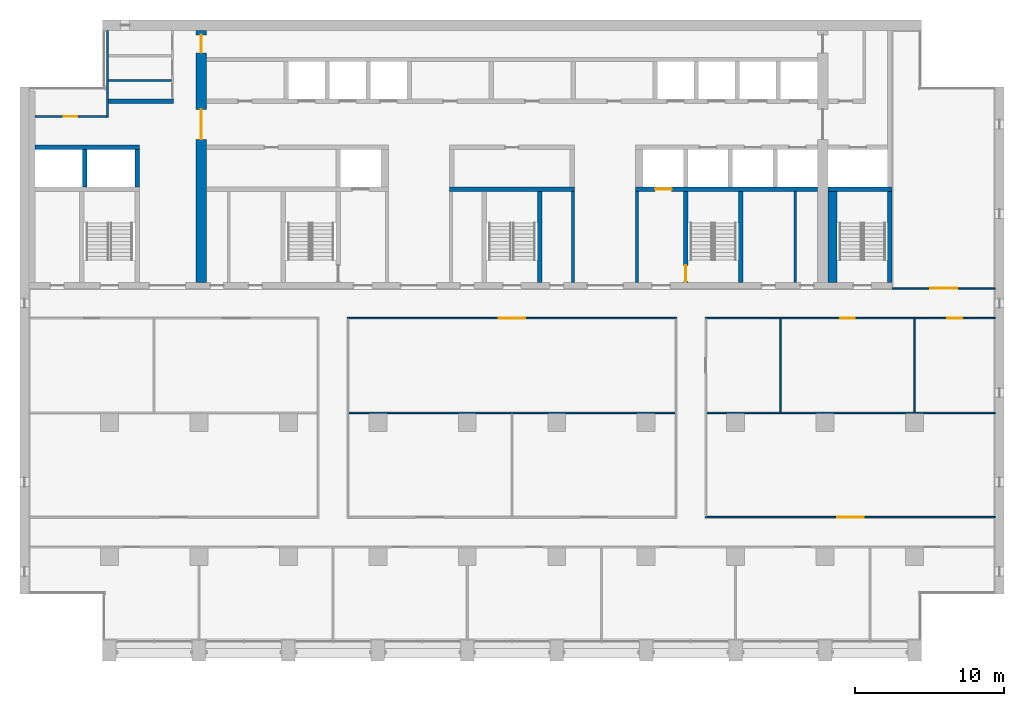
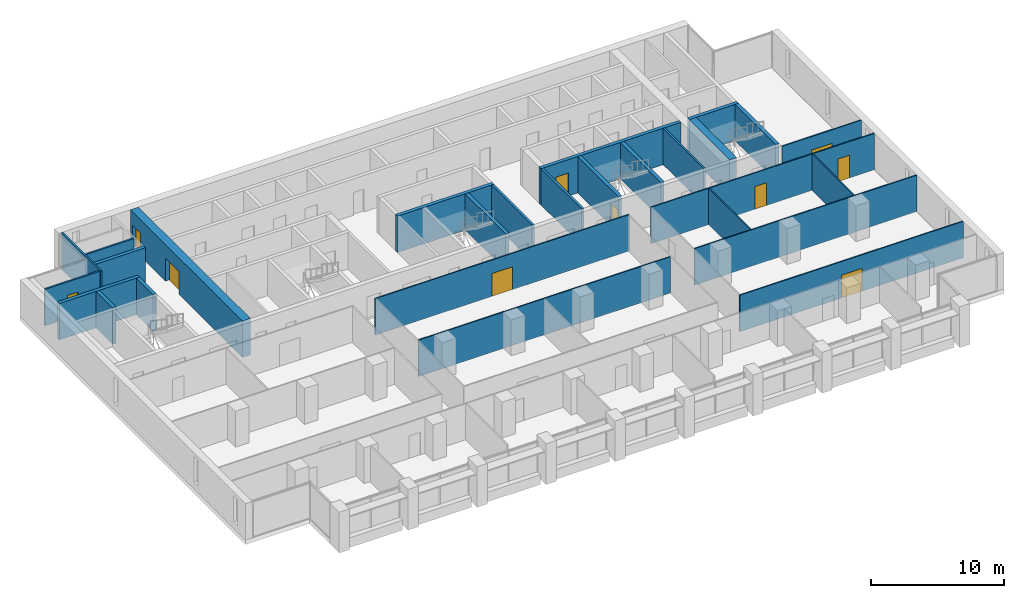
# One storey, part 10 of 17: 27 walls, 10 doors, 10 openings.
"""IFC4 building model written with IfcOpenShell, lengths in metres."""

from ifc_helpers import new_model, si_unit, direction, frame, frame_2d, origin, place, context, subcontext, project, spatial, rectangle, extrude, material, layer, layer_set, type_object, element, fill, save


model = new_model("IFC4")

# Units and contexts
model_context = context("Model", 3, precision=1e-05, world=origin(), true_north=direction((0.0, 1.0)))
body_context = subcontext(model_context, "Body", "Model", "MODEL_VIEW")
ifc_project = project(units=[si_unit("LENGTHUNIT", "METRE"), si_unit("AREAUNIT", "SQUARE_METRE"), si_unit("VOLUMEUNIT", "CUBIC_METRE"), si_unit("PLANEANGLEUNIT", "RADIAN"), si_unit("MASSUNIT", "GRAM", prefix="KILO")], contexts=[model_context])

# Site, building, storey
site_placement = place(None, origin())
site = spatial("IfcSite", under=ifc_project, at=site_placement, CompositionType="ELEMENT")
building_placement = place(site_placement, origin())
building = spatial("IfcBuilding", under=site, at=building_placement, Name="Calvaro Tower", CompositionType="ELEMENT")
storey_placement = place(building_placement, frame((0.0, 0.0, 170.5)))
storey = spatial("IfcBuildingStorey", under=building, at=storey_placement, Name="L42", CompositionType="ELEMENT", Elevation=170.5)

# Walls
ifc_material_1 = material(Name="Blockwork partition", Category="masonry")
ifc_layer_1 = layer(ifc_material_1, 0.14990234375)
ifc_layer_set_1 = layer_set([ifc_layer_1], Name="Blockwork partition")
wall_type_1 = type_object("IfcWallType", Name="Core partition 150 EI 60", PredefinedType="PARTITIONING", material=ifc_layer_set_1)
wall_1_placement = place(storey_placement, frame((58.0, 28.39990234375, 0.0), z_axis=(0.0, 0.0, 1.0), x_axis=(0.0, 1.0, 0.0)))
element("IfcWall", 1, at=wall_1_placement, inside=storey, type_object=wall_type_1, Name="Core partition", PredefinedType="PARTITIONING", context=body_context, shape_type="SweptSolid", body=[
    extrude(rectangle(XDim=6.10009765625, YDim=0.14990234375, at=frame_2d((3.050048828125, 0.0))), origin(), (0.0, 0.0, 1.0), 3.35009765625),
])
wall_2_placement = place(storey_placement, frame((11.949951171875, 41.949951171875, 0.0), z_axis=(0.0, 0.0, 1.0), x_axis=(1.0, 0.0, 0.0)))
element("IfcWall", 2, at=wall_2_placement, inside=storey, type_object=wall_type_1, Name="Core partition", PredefinedType="PARTITIONING", context=body_context, shape_type="SweptSolid", body=[
    extrude(rectangle(XDim=4.199951171875, YDim=0.14990234375, at=frame_2d((2.10009765625, 0.0))), origin(), (0.0, 0.0, 1.0), 3.35009765625),
])
ifc_material_2 = material(Name="Blockwork partition", Category="masonry")
ifc_layer_2 = layer(ifc_material_2, 0.14990234375)
ifc_layer_set_2 = layer_set([ifc_layer_2], Name="Blockwork partition")
wall_type_2 = type_object("IfcWallType", Name="Core partition 150 REI 120", PredefinedType="PARTITIONING", material=ifc_layer_set_2)
wall_3_placement = place(storey_placement, frame((11.875, 39.449951171875, 0.0), z_axis=(0.0, 0.0, 1.0), x_axis=(0.0, 1.0, 0.0)))
element("IfcWall", 3, at=wall_3_placement, inside=storey, type_object=wall_type_2, Name="Core partition", PredefinedType="PARTITIONING", context=body_context, shape_type="SweptSolid", body=[
    extrude(rectangle(XDim=5.85009765625, YDim=0.14990234375, at=frame_2d((2.925048828125, 0.0))), origin(), (0.0, 0.0, 1.0), 3.35009765625),
])

# Wall, opening, door
wall_4_placement = place(storey_placement, frame((7.0, 39.52490234375, 0.0), z_axis=(0.0, 0.0, 1.0), x_axis=(1.0, 0.0, 0.0)))
wall_4 = element("IfcWall", 4, at=wall_4_placement, inside=storey, type_object=wall_type_2, Name="Core partition", PredefinedType="PARTITIONING", context=body_context, shape_type="SweptSolid", body=[
    extrude(rectangle(XDim=4.800048828125, YDim=0.14990234375, at=frame_2d((2.39990234375, 0.0))), origin(), (0.0, 0.0, 1.0), 3.35009765625),
])
opening_1_placement = place(wall_4_placement, frame((1.949951171875, 0.0, 0.0)))
opening_1 = element("IfcOpeningElement", 5, at=opening_1_placement, cuts=wall_4, Name="Opening RD9", PredefinedType="OPENING", context=body_context, shape_type="SweptSolid", body=[
    extrude(rectangle(XDim=0.89990234375, YDim=2.10009765625, at=frame_2d((0.449951171875, 1.050048828125))), frame((0.0, 0.0849609375, 0.0), z_axis=(0.0, -1.0, 0.0), x_axis=(1.0, 0.0, 0.0)), (0.0, 0.0, 1.0), 0.169921875),
])
ifc_material_3 = material(Name="Steel door set", Category="steel")
door_type_1 = type_object("IfcDoorType", Name="Room door 900", OperationType="SINGLE_SWING_LEFT", PredefinedType="DOOR", material=ifc_material_3)
door_1_placement = place(opening_1_placement, origin())
door_1 = element("IfcDoor", 6, at=door_1_placement, inside=storey, type_object=door_type_1, Name="Room door", OperationType="SINGLE_SWING_LEFT", OverallHeight=2.10009765625, OverallWidth=0.89990234375, PredefinedType="DOOR", context=body_context, shape_type="SweptSolid", body=[
    extrude(rectangle(XDim=0.89990234375, YDim=2.10009765625, at=frame_2d((0.449951171875, 1.050048828125))), frame((0.0, 0.02490234375, 0.0), z_axis=(0.0, -1.0, 0.0), x_axis=(1.0, 0.0, 0.0)), (0.0, 0.0, 1.0), 0.050048828125),
])
fill(opening_1, door_1)

# Walls
ifc_material_4 = material(Name="Blockwork partition", Category="masonry")
ifc_layer_3 = layer(ifc_material_4, 0.199951171875)
ifc_layer_set_3 = layer_set([ifc_layer_3], Name="Blockwork partition")
wall_type_3 = type_object("IfcWallType", Name="Core partition 200 REI 120", PredefinedType="PARTITIONING", material=ifc_layer_set_3)
for number, where, z_axis, x_axis, name in (
    (7, (43.10009765625, 28.39990234375, 0.0), (0.0, 0.0, 1.0), (0.0, 1.0, 0.0), "Core partition"),
    (8, (47.39990234375, 28.39990234375, 0.0), (0.0, 0.0, 1.0), (0.0, 1.0, 0.0), "Core partition"),
):
    element("IfcWall", number, at=place(storey_placement, frame(where, z_axis=z_axis, x_axis=x_axis)), inside=storey, type_object=wall_type_3, Name=name, PredefinedType="PARTITIONING", context=body_context, shape_type="SweptSolid", body=[
        extrude(rectangle(XDim=6.10009765625, YDim=0.199951171875, at=frame_2d((3.050048828125, 0.0))), origin(), (0.0, 0.0, 1.0), 3.35009765625),
    ])
ifc_material_5 = material(Name="Blockwork partition", Category="masonry")
ifc_layer_4 = layer(ifc_material_5, 0.300048828125)
ifc_layer_set_4 = layer_set([ifc_layer_4], Name="Blockwork partition")
wall_type_4 = type_object("IfcWallType", Name="Core partition 300 REI 120", PredefinedType="PARTITIONING", material=ifc_layer_set_4)
wall_5_placement = place(storey_placement, frame((11.949951171875, 40.550048828125, 0.0), z_axis=(0.0, 0.0, 1.0), x_axis=(1.0, 0.0, 0.0)))
element("IfcWall", 9, at=wall_5_placement, inside=storey, type_object=wall_type_4, Name="Core partition", PredefinedType="PARTITIONING", context=body_context, shape_type="SweptSolid", body=[
    extrude(rectangle(XDim=4.35009765625, YDim=0.300048828125, at=frame_2d((2.175048828125, 0.0))), origin(), (0.0, 0.0, 1.0), 3.35009765625),
])
ifc_material_6 = material(Name="Concrete C50/60", Category="concrete")
ifc_layer_5 = layer(ifc_material_6, 0.300048828125)
ifc_layer_set_5 = layer_set([ifc_layer_5], Name="Concrete C50/60")
wall_type_5 = type_object("IfcWallType", Name="Core wall C50/60 300", PredefinedType="SHEAR", material=ifc_layer_set_5)
wall_6_placement = place(storey_placement, frame((40.85009765625, 28.39990234375, 0.0), z_axis=(0.0, 0.0, 1.0), x_axis=(0.0, 1.0, 0.0)))
element("IfcWall", 10, at=wall_6_placement, inside=storey, type_object=wall_type_5, Name="Core wall, stair enclosure", PredefinedType="SHEAR", context=body_context, shape_type="SweptSolid", body=[
    extrude(rectangle(XDim=6.10009765625, YDim=0.300048828125, at=frame_2d((3.050048828125, 0.0))), origin(), (0.0, 0.0, 1.0), 3.35009765625),
])

# Wall, opening, door
wall_7_placement = place(storey_placement, frame((50.64990234375, 34.5, 0.0), z_axis=(0.0, 0.0, 1.0), x_axis=(0.0, -1.0, 0.0)))
wall_7 = element("IfcWall", 11, at=wall_7_placement, inside=storey, type_object=wall_type_5, Name="Core wall, stair enclosure", PredefinedType="SHEAR", context=body_context, shape_type="SweptSolid", body=[
    extrude(rectangle(XDim=6.10009765625, YDim=0.300048828125, at=frame_2d((3.050048828125, 0.0))), origin(), (0.0, 0.0, 1.0), 3.35009765625),
])
opening_2_placement = place(wall_7_placement, frame((4.949951171875, 0.0, 0.0)))
opening_2 = element("IfcOpeningElement", 12, at=opening_2_placement, cuts=wall_7, Name="Opening FD11D", PredefinedType="OPENING", context=body_context, shape_type="SweptSolid", body=[
    extrude(rectangle(XDim=1.10009765625, YDim=2.10009765625, at=frame_2d((0.550048828125, 1.050048828125))), frame((0.0, 0.159912109375, 0.0), z_axis=(0.0, -1.0, 0.0), x_axis=(1.0, 0.0, 0.0)), (0.0, 0.0, 1.0), 0.320068359375),
])
ifc_material_7 = material(Name="Steel door set", Category="steel")
door_type_2 = type_object("IfcDoorType", Name="Fire door 1100 FD30S", OperationType="SINGLE_SWING_LEFT", PredefinedType="DOOR", material=ifc_material_7)
door_2_placement = place(opening_2_placement, origin())
door_2 = element("IfcDoor", 13, at=door_2_placement, inside=storey, type_object=door_type_2, Name="Fire door", OperationType="SINGLE_SWING_RIGHT", OverallHeight=2.10009765625, OverallWidth=1.10009765625, PredefinedType="DOOR", context=body_context, shape_type="SweptSolid", body=[
    extrude(rectangle(XDim=1.10009765625, YDim=2.10009765625, at=frame_2d((0.550048828125, 1.050048828125))), frame((0.0, 0.02490234375, 0.0), z_axis=(0.0, -1.0, 0.0), x_axis=(1.0, 0.0, 0.0)), (0.0, 0.0, 1.0), 0.050048828125),
])
fill(opening_2, door_2)

# Walls
for number, where, z_axis, x_axis, name in (
    (14, (54.35009765625, 28.39990234375, 0.0), (0.0, 0.0, 1.0), (0.0, 1.0, 0.0), "Core wall, stair enclosure"),
    (15, (64.35009765625, 28.39990234375, 0.0), (0.0, 0.0, 1.0), (0.0, 1.0, 0.0), "Core wall, stair enclosure"),
):
    element("IfcWall", number, at=place(storey_placement, frame(where, z_axis=z_axis, x_axis=x_axis)), inside=storey, type_object=wall_type_5, Name=name, PredefinedType="SHEAR", context=body_context, shape_type="SweptSolid", body=[
        extrude(rectangle(XDim=6.10009765625, YDim=0.300048828125, at=frame_2d((3.050048828125, 0.0))), origin(), (0.0, 0.0, 1.0), 3.35009765625),
    ])
wall_8_placement = place(storey_placement, frame((34.800048828125, 34.64990234375, 0.0), z_axis=(0.0, 0.0, 1.0), x_axis=(1.0, 0.0, 0.0)))
element("IfcWall", 16, at=wall_8_placement, inside=storey, type_object=wall_type_5, Name="Core wall, lift shaft", PredefinedType="SHEAR", context=body_context, shape_type="SweptSolid", body=[
    extrude(rectangle(XDim=8.39990234375, YDim=0.300048828125, at=frame_2d((4.199951171875, 0.0))), origin(), (0.0, 0.0, 1.0), 3.35009765625),
])

# Wall, opening, door
wall_9_placement = place(storey_placement, frame((47.300048828125, 34.64990234375, 0.0), z_axis=(0.0, 0.0, 1.0), x_axis=(1.0, 0.0, 0.0)))
wall_9 = element("IfcWall", 17, at=wall_9_placement, inside=storey, type_object=wall_type_5, Name="Core wall, lift shaft", PredefinedType="SHEAR", context=body_context, shape_type="SweptSolid", body=[
    extrude(rectangle(XDim=12.199951171875, YDim=0.300048828125, at=frame_2d((6.10009765625, 0.0))), origin(), (0.0, 0.0, 1.0), 3.35009765625),
])
opening_3_placement = place(wall_9_placement, frame((1.300048828125, 0.0, 0.0)))
opening_3 = element("IfcOpeningElement", 18, at=opening_3_placement, cuts=wall_9, Name="Opening FF2", PredefinedType="OPENING", context=body_context, shape_type="SweptSolid", body=[
    extrude(rectangle(XDim=1.10009765625, YDim=2.10009765625, at=frame_2d((0.550048828125, 1.050048828125))), frame((0.0, 0.159912109375, 0.0), z_axis=(0.0, -1.0, 0.0), x_axis=(1.0, 0.0, 0.0)), (0.0, 0.0, 1.0), 0.320068359375),
])
ifc_material_8 = material(Name="Stainless steel", Category="steel")
door_type_3 = type_object("IfcDoorType", Name="Landing door 1100 E 60", OperationType="SLIDING_TO_LEFT", PredefinedType="DOOR", material=ifc_material_8)
door_3_placement = place(opening_3_placement, origin())
door_3 = element("IfcDoor", 19, at=door_3_placement, inside=storey, type_object=door_type_3, Name="Landing door FF2", OperationType="SLIDING_TO_LEFT", OverallHeight=2.10009765625, OverallWidth=1.10009765625, PredefinedType="DOOR", context=body_context, shape_type="SweptSolid", body=[
    extrude(rectangle(XDim=1.10009765625, YDim=2.10009765625, at=frame_2d((0.550048828125, 1.050048828125))), frame((0.0, 0.02490234375, 0.0), z_axis=(0.0, -1.0, 0.0), x_axis=(1.0, 0.0, 0.0)), (0.0, 0.0, 1.0), 0.050048828125),
])
fill(opening_3, door_3)

# Walls
wall_10_placement = place(storey_placement, frame((60.199951171875, 34.64990234375, 0.0), z_axis=(0.0, 0.0, 1.0), x_axis=(1.0, 0.0, 0.0)))
element("IfcWall", 20, at=wall_10_placement, inside=storey, type_object=wall_type_5, Name="Core wall, lift shaft", PredefinedType="SHEAR", context=body_context, shape_type="SweptSolid", body=[
    extrude(rectangle(XDim=4.300048828125, YDim=0.300048828125, at=frame_2d((2.14990234375, 0.0))), origin(), (0.0, 0.0, 1.0), 3.35009765625),
])
wall_11_placement = place(storey_placement, frame((7.0, 37.449951171875, 0.0), z_axis=(0.0, 0.0, 1.0), x_axis=(1.0, 0.0, 0.0)))
element("IfcWall", 21, at=wall_11_placement, inside=storey, type_object=wall_type_5, Name="Core wall, lift shaft", PredefinedType="SHEAR", context=body_context, shape_type="SweptSolid", body=[
    extrude(rectangle(XDim=7.0, YDim=0.300048828125, at=frame_2d((3.5, 0.0))), origin(), (0.0, 0.0, 1.0), 3.35009765625),
])
for number, where, z_axis, x_axis, name in (
    (22, (13.85009765625, 34.800048828125, 0.0), (0.0, 0.0, 1.0), (0.0, 1.0, 0.0), "Core wall, lift shaft"),
    (23, (10.35009765625, 34.800048828125, 0.0), (0.0, 0.0, 1.0), (0.0, 1.0, 0.0), "Core wall, lift shaft"),
):
    element("IfcWall", number, at=place(storey_placement, frame(where, z_axis=z_axis, x_axis=x_axis)), inside=storey, type_object=wall_type_5, Name=name, PredefinedType="SHEAR", context=body_context, shape_type="SweptSolid", body=[
        extrude(rectangle(XDim=2.5, YDim=0.300048828125, at=frame_2d((1.25, 0.0))), origin(), (0.0, 0.0, 1.0), 3.35009765625),
    ])
ifc_material_9 = material(Name="Concrete C50/60", Category="concrete")
ifc_layer_6 = layer(ifc_material_9, 0.60009765625)
ifc_layer_set_6 = layer_set([ifc_layer_6], Name="Concrete C50/60")
wall_type_6 = type_object("IfcWallType", Name="Core wall C50/60 600", PredefinedType="SHEAR", material=ifc_layer_set_6)
wall_12_placement = place(storey_placement, frame((60.5, 28.39990234375, 0.0), z_axis=(0.0, 0.0, 1.0), x_axis=(0.0, 1.0, 0.0)))
element("IfcWall", 24, at=wall_12_placement, inside=storey, type_object=wall_type_6, Name="Core wall, stair enclosure", PredefinedType="SHEAR", context=body_context, shape_type="SweptSolid", body=[
    extrude(rectangle(XDim=6.10009765625, YDim=0.60009765625, at=frame_2d((3.050048828125, 0.0))), origin(), (0.0, 0.0, 1.0), 3.35009765625),
])

# Wall, openings, doors
ifc_material_10 = material(Name="Concrete C50/60", Category="concrete")
ifc_layer_7 = layer(ifc_material_10, 0.699951171875)
ifc_layer_set_7 = layer_set([ifc_layer_7], Name="Concrete C50/60")
wall_type_7 = type_object("IfcWallType", Name="Core wall C50/60 700", PredefinedType="SHEAR", material=ifc_layer_set_7)
wall_13_placement = place(storey_placement, frame((18.14990234375, 28.39990234375, 0.0), z_axis=(0.0, 0.0, 1.0), x_axis=(0.0, 1.0, 0.0)))
wall_13 = element("IfcWall", 25, at=wall_13_placement, inside=storey, type_object=wall_type_7, Name="Core wall, cross shear wall", PredefinedType="SHEAR", context=body_context, shape_type="SweptSolid", body=[
    extrude(rectangle(XDim=16.900146484375, YDim=0.699951171875, at=frame_2d((8.4501953125, 0.0))), origin(), (0.0, 0.0, 1.0), 3.35009765625),
])
opening_4_placement = place(wall_13_placement, frame((9.60009765625, 0.0, 0.0)))
opening_4 = element("IfcOpeningElement", 26, at=opening_4_placement, cuts=wall_13, Name="Opening DD20D", PredefinedType="OPENING", context=body_context, shape_type="SweptSolid", body=[
    extrude(rectangle(XDim=2.0, YDim=2.10009765625, at=frame_2d((1.0, 1.050048828125))), frame((0.0, 0.35986328125, 0.0), z_axis=(0.0, -1.0, 0.0), x_axis=(1.0, 0.0, 0.0)), (0.0, 0.0, 1.0), 0.719970703125),
])
opening_5_placement = place(wall_13_placement, frame((15.39990234375, 0.0, 0.0)))
opening_5 = element("IfcOpeningElement", 27, at=opening_5_placement, cuts=wall_13, Name="Opening FD12C", PredefinedType="OPENING", context=body_context, shape_type="SweptSolid", body=[
    extrude(rectangle(XDim=1.199951171875, YDim=2.10009765625, at=frame_2d((0.60009765625, 1.050048828125))), frame((0.0, 0.35986328125, 0.0), z_axis=(0.0, -1.0, 0.0), x_axis=(1.0, 0.0, 0.0)), (0.0, 0.0, 1.0), 0.719970703125),
])
ifc_material_11 = material(Name="Steel door set", Category="steel")
door_type_4 = type_object("IfcDoorType", Name="Fire door 1200 FD30", OperationType="SINGLE_SWING_LEFT", PredefinedType="DOOR", material=ifc_material_11)
door_4_placement = place(opening_5_placement, origin())
door_4 = element("IfcDoor", 28, at=door_4_placement, inside=storey, type_object=door_type_4, Name="Fire door", OperationType="SINGLE_SWING_LEFT", OverallHeight=2.10009765625, OverallWidth=1.199951171875, PredefinedType="DOOR", context=body_context, shape_type="SweptSolid", body=[
    extrude(rectangle(XDim=1.199951171875, YDim=2.10009765625, at=frame_2d((0.60009765625, 1.050048828125))), frame((0.0, 0.02490234375, 0.0), z_axis=(0.0, -1.0, 0.0), x_axis=(1.0, 0.0, 0.0)), (0.0, 0.0, 1.0), 0.050048828125),
])
fill(opening_5, door_4)
ifc_material_12 = material(Name="Steel door set", Category="steel")
door_type_5 = type_object("IfcDoorType", Name="Lobby double door 2000 FD30S", OperationType="DOUBLE_DOOR_SINGLE_SWING", PredefinedType="DOOR", material=ifc_material_12)
door_5_placement = place(opening_4_placement, origin())
door_5 = element("IfcDoor", 29, at=door_5_placement, inside=storey, type_object=door_type_5, Name="Lobby double door", OperationType="DOUBLE_DOOR_SINGLE_SWING", OverallHeight=2.10009765625, OverallWidth=2.0, PredefinedType="DOOR", context=body_context, shape_type="SweptSolid", body=[
    extrude(rectangle(XDim=2.0, YDim=2.10009765625, at=frame_2d((1.0, 1.050048828125))), frame((0.0, 0.02490234375, 0.0), z_axis=(0.0, -1.0, 0.0), x_axis=(1.0, 0.0, 0.0)), (0.0, 0.0, 1.0), 0.050048828125),
])
fill(opening_4, door_5)

# Wall, opening, door
ifc_material_13 = material(Name="Plasterboard on steel studs", Category="steel")
ifc_layer_8 = layer(ifc_material_13, 0.10009765625)
ifc_layer_set_8 = layer_set([ifc_layer_8], Name="Plasterboard on steel studs")
wall_type_8 = type_object("IfcWallType", Name="Partition 100", PredefinedType="PARTITIONING", material=ifc_layer_set_8)
wall_14_placement = place(storey_placement, frame((51.949951171875, 12.64990234375, 0.0), z_axis=(0.0, 0.0, 1.0), x_axis=(1.0, 0.0, 0.0)))
wall_14 = element("IfcWall", 30, at=wall_14_placement, inside=storey, type_object=wall_type_8, Name="Partition T25.W004", PredefinedType="PARTITIONING", context=body_context, shape_type="SweptSolid", body=[
    extrude(rectangle(XDim=19.449951171875, YDim=0.10009765625, at=frame_2d((9.72509765625, 0.0))), origin(), (0.0, 0.0, 1.0), 3.35009765625),
])
opening_6_placement = place(wall_14_placement, frame((8.85009765625, 0.0, 0.0)))
opening_6 = element("IfcOpeningElement", 31, at=opening_6_placement, cuts=wall_14, Name="Opening T25.011", PredefinedType="OPENING", context=body_context, shape_type="SweptSolid", body=[
    extrude(rectangle(XDim=1.800048828125, YDim=2.10009765625, at=frame_2d((0.89990234375, 1.050048828125))), frame((0.0, 0.06005859375, 0.0), z_axis=(0.0, -1.0, 0.0), x_axis=(1.0, 0.0, 0.0)), (0.0, 0.0, 1.0), 0.1201171875),
])
ifc_material_14 = material(Name="Timber", Category="wood")
door_type_6 = type_object("IfcDoorType", Name="Internal double door 1800 x 2100", OperationType="DOUBLE_DOOR_SINGLE_SWING", PredefinedType="DOOR", material=ifc_material_14)
door_6_placement = place(opening_6_placement, origin())
door_6 = element("IfcDoor", 32, at=door_6_placement, inside=storey, type_object=door_type_6, Name="Door T25.011", OperationType="DOUBLE_DOOR_SINGLE_SWING", OverallHeight=2.10009765625, OverallWidth=1.800048828125, PredefinedType="DOOR", context=body_context, shape_type="SweptSolid", body=[
    extrude(rectangle(XDim=1.800048828125, YDim=2.10009765625, at=frame_2d((0.89990234375, 1.050048828125))), frame((0.0, 0.02490234375, 0.0), z_axis=(0.0, -1.0, 0.0), x_axis=(1.0, 0.0, 0.0)), (0.0, 0.0, 1.0), 0.050048828125),
])
fill(opening_6, door_6)

# Walls
wall_15_placement = place(storey_placement, frame((28.050048828125, 19.64990234375, 0.0), z_axis=(0.0, 0.0, 1.0), x_axis=(1.0, 0.0, 0.0)))
element("IfcWall", 33, at=wall_15_placement, inside=storey, type_object=wall_type_8, Name="Partition T25.W006", PredefinedType="PARTITIONING", context=body_context, shape_type="SweptSolid", body=[
    extrude(rectangle(XDim=21.89990234375, YDim=0.10009765625, at=frame_2d((10.949951171875, 0.0))), origin(), (0.0, 0.0, 1.0), 3.35009765625),
])
wall_16_placement = place(storey_placement, frame((52.050048828125, 19.64990234375, 0.0), z_axis=(0.0, 0.0, 1.0), x_axis=(1.0, 0.0, 0.0)))
element("IfcWall", 34, at=wall_16_placement, inside=storey, type_object=wall_type_8, Name="Partition T25.W007", PredefinedType="PARTITIONING", context=body_context, shape_type="SweptSolid", body=[
    extrude(rectangle(XDim=19.349853515625, YDim=0.10009765625, at=frame_2d((9.6748046875, 0.0))), origin(), (0.0, 0.0, 1.0), 3.35009765625),
])

# Wall, opening, door
wall_17_placement = place(storey_placement, frame((27.949951171875, 26.0, 0.0), z_axis=(0.0, 0.0, 1.0), x_axis=(1.0, 0.0, 0.0)))
wall_17 = element("IfcWall", 35, at=wall_17_placement, inside=storey, type_object=wall_type_8, Name="Partition T25.W009", PredefinedType="PARTITIONING", context=body_context, shape_type="SweptSolid", body=[
    extrude(rectangle(XDim=22.10009765625, YDim=0.10009765625, at=frame_2d((11.050048828125, 0.0))), origin(), (0.0, 0.0, 1.0), 3.35009765625),
])
opening_7_placement = place(wall_17_placement, frame((10.14990234375, 0.0, 0.0)))
opening_7 = element("IfcOpeningElement", 36, at=opening_7_placement, cuts=wall_17, Name="Opening T25.014", PredefinedType="OPENING", context=body_context, shape_type="SweptSolid", body=[
    extrude(rectangle(XDim=1.800048828125, YDim=2.10009765625, at=frame_2d((0.89990234375, 1.050048828125))), frame((0.0, 0.06005859375, 0.0), z_axis=(0.0, -1.0, 0.0), x_axis=(1.0, 0.0, 0.0)), (0.0, 0.0, 1.0), 0.1201171875),
])
door_7_placement = place(opening_7_placement, origin())
door_7 = element("IfcDoor", 37, at=door_7_placement, inside=storey, type_object=door_type_6, Name="Door T25.014", OperationType="DOUBLE_DOOR_SINGLE_SWING", OverallHeight=2.10009765625, OverallWidth=1.800048828125, PredefinedType="DOOR", context=body_context, shape_type="SweptSolid", body=[
    extrude(rectangle(XDim=1.800048828125, YDim=2.10009765625, at=frame_2d((0.89990234375, 1.050048828125))), frame((0.0, 0.02490234375, 0.0), z_axis=(0.0, -1.0, 0.0), x_axis=(1.0, 0.0, 0.0)), (0.0, 0.0, 1.0), 0.050048828125),
])
fill(opening_7, door_7)

# Wall, openings, doors
wall_18_placement = place(storey_placement, frame((51.949951171875, 26.0, 0.0), z_axis=(0.0, 0.0, 1.0), x_axis=(1.0, 0.0, 0.0)))
wall_18 = element("IfcWall", 38, at=wall_18_placement, inside=storey, type_object=wall_type_8, Name="Partition T25.W010", PredefinedType="PARTITIONING", context=body_context, shape_type="SweptSolid", body=[
    extrude(rectangle(XDim=19.449951171875, YDim=0.10009765625, at=frame_2d((9.72509765625, 0.0))), origin(), (0.0, 0.0, 1.0), 3.35009765625),
])
opening_8_placement = place(wall_18_placement, frame((9.050048828125, 0.0, 0.0)))
opening_8 = element("IfcOpeningElement", 39, at=opening_8_placement, cuts=wall_18, Name="Opening T25.016", PredefinedType="OPENING", context=body_context, shape_type="SweptSolid", body=[
    extrude(rectangle(XDim=1.0, YDim=2.10009765625, at=frame_2d((0.5, 1.050048828125))), frame((0.0, 0.06005859375, 0.0), z_axis=(0.0, -1.0, 0.0), x_axis=(1.0, 0.0, 0.0)), (0.0, 0.0, 1.0), 0.1201171875),
])
opening_9_placement = place(wall_18_placement, frame((16.25, 0.0, 0.0)))
opening_9 = element("IfcOpeningElement", 40, at=opening_9_placement, cuts=wall_18, Name="Opening T25.017", PredefinedType="OPENING", context=body_context, shape_type="SweptSolid", body=[
    extrude(rectangle(XDim=1.0, YDim=2.10009765625, at=frame_2d((0.5, 1.050048828125))), frame((0.0, 0.06005859375, 0.0), z_axis=(0.0, -1.0, 0.0), x_axis=(1.0, 0.0, 0.0)), (0.0, 0.0, 1.0), 0.1201171875),
])
ifc_material_15 = material(Name="Timber", Category="wood")
door_type_7 = type_object("IfcDoorType", Name="Internal single door 1000 x 2100", OperationType="SINGLE_SWING_LEFT", PredefinedType="DOOR", material=ifc_material_15)
door_8_placement = place(opening_8_placement, origin())
door_8 = element("IfcDoor", 41, at=door_8_placement, inside=storey, type_object=door_type_7, Name="Door T25.016", OperationType="SINGLE_SWING_LEFT", OverallHeight=2.10009765625, OverallWidth=1.0, PredefinedType="DOOR", context=body_context, shape_type="SweptSolid", body=[
    extrude(rectangle(XDim=1.0, YDim=2.10009765625, at=frame_2d((0.5, 1.050048828125))), frame((0.0, 0.02490234375, 0.0), z_axis=(0.0, -1.0, 0.0), x_axis=(1.0, 0.0, 0.0)), (0.0, 0.0, 1.0), 0.050048828125),
])
fill(opening_8, door_8)
door_9_placement = place(opening_9_placement, origin())
door_9 = element("IfcDoor", 42, at=door_9_placement, inside=storey, type_object=door_type_7, Name="Door T25.017", OperationType="SINGLE_SWING_RIGHT", OverallHeight=2.10009765625, OverallWidth=1.0, PredefinedType="DOOR", context=body_context, shape_type="SweptSolid", body=[
    extrude(rectangle(XDim=1.0, YDim=2.10009765625, at=frame_2d((0.5, 1.050048828125))), frame((0.0, 0.02490234375, 0.0), z_axis=(0.0, -1.0, 0.0), x_axis=(1.0, 0.0, 0.0)), (0.0, 0.0, 1.0), 0.050048828125),
])
fill(opening_9, door_9)

# Wall, opening, door
wall_19_placement = place(storey_placement, frame((64.5, 28.0, 0.0), z_axis=(0.0, 0.0, 1.0), x_axis=(1.0, 0.0, 0.0)))
wall_19 = element("IfcWall", 43, at=wall_19_placement, inside=storey, type_object=wall_type_8, Name="Partition T25.W011", PredefinedType="PARTITIONING", context=body_context, shape_type="SweptSolid", body=[
    extrude(rectangle(XDim=6.89990234375, YDim=0.10009765625, at=frame_2d((3.449951171875, 0.0))), origin(), (0.0, 0.0, 1.0), 3.35009765625),
])
opening_10_placement = place(wall_19_placement, frame((2.550048828125, 0.0, 0.0)))
opening_10 = element("IfcOpeningElement", 44, at=opening_10_placement, cuts=wall_19, Name="Opening T25.018", PredefinedType="OPENING", context=body_context, shape_type="SweptSolid", body=[
    extrude(rectangle(XDim=1.800048828125, YDim=2.10009765625, at=frame_2d((0.89990234375, 1.050048828125))), frame((0.0, 0.06005859375, 0.0), z_axis=(0.0, -1.0, 0.0), x_axis=(1.0, 0.0, 0.0)), (0.0, 0.0, 1.0), 0.1201171875),
])
door_10_placement = place(opening_10_placement, origin())
door_10 = element("IfcDoor", 45, at=door_10_placement, inside=storey, type_object=door_type_6, Name="Door T25.018", OperationType="DOUBLE_DOOR_SINGLE_SWING", OverallHeight=2.10009765625, OverallWidth=1.800048828125, PredefinedType="DOOR", context=body_context, shape_type="SweptSolid", body=[
    extrude(rectangle(XDim=1.800048828125, YDim=2.10009765625, at=frame_2d((0.89990234375, 1.050048828125))), frame((0.0, 0.02490234375, 0.0), z_axis=(0.0, -1.0, 0.0), x_axis=(1.0, 0.0, 0.0)), (0.0, 0.0, 1.0), 0.050048828125),
])
fill(opening_10, door_10)

# Walls
for number, where, z_axis, x_axis, name in (
    (46, (57.0, 19.699951171875, 0.0), (0.0, 0.0, 1.0), (0.0, 1.0, 0.0), "Partition T25.W023"),
    (47, (66.0, 19.699951171875, 0.0), (0.0, 0.0, 1.0), (0.0, 1.0, 0.0), "Partition T25.W025"),
):
    element("IfcWall", number, at=place(storey_placement, frame(where, z_axis=z_axis, x_axis=x_axis)), inside=storey, type_object=wall_type_8, Name=name, PredefinedType="PARTITIONING", context=body_context, shape_type="SweptSolid", body=[
        extrude(rectangle(XDim=6.25, YDim=0.10009765625, at=frame_2d((3.125, 0.0))), origin(), (0.0, 0.0, 1.0), 3.35009765625),
    ])

save(model, "model.ifc")
